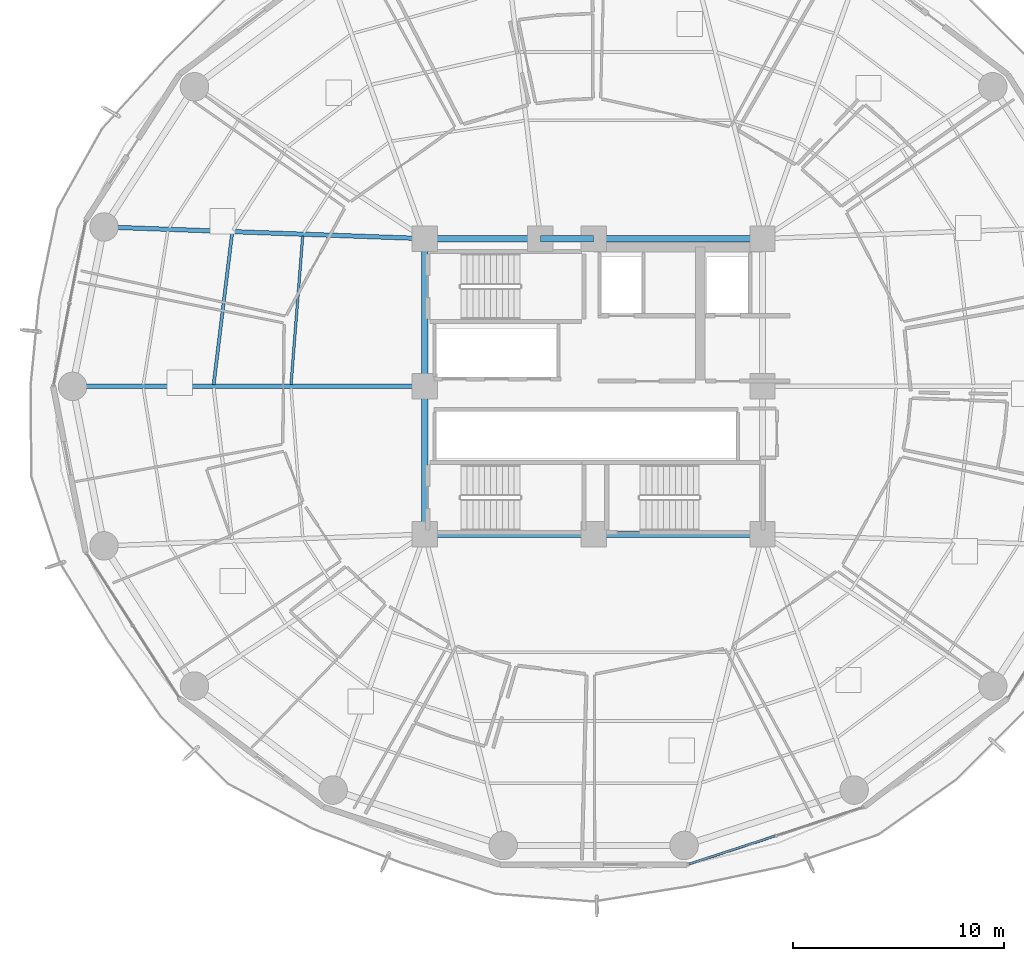
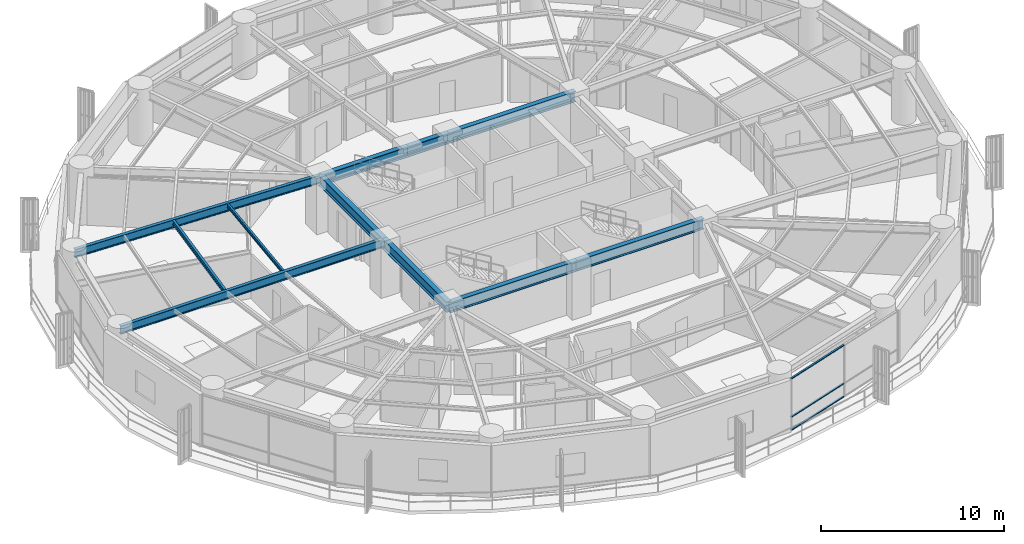
# One storey, part 9 of 35: 11 beams, 3 members, 1 element without a shape of its own.
"""IFC4 building model written with IfcOpenShell, lengths in metres."""

from ifc_helpers import new_model, si_unit, direction, frame, origin, origin_2d, place, context, subcontext, project, spatial, hollow_rectangle, i_section, extrude, material, layer, layer_set, material_profile, profile_set, type_object, element, aggregate, save


model = new_model("IFC4")

# Units and contexts
model_context = context("Model", 3, precision=1e-05, world=origin(), true_north=direction((0.0, 1.0)))
body_context = subcontext(model_context, "Body", "Model", "MODEL_VIEW")
ifc_project = project(units=[si_unit("LENGTHUNIT", "METRE"), si_unit("AREAUNIT", "SQUARE_METRE"), si_unit("VOLUMEUNIT", "CUBIC_METRE"), si_unit("PLANEANGLEUNIT", "RADIAN"), si_unit("MASSUNIT", "GRAM", prefix="KILO")], contexts=[model_context])

# Site, building, storey
site_placement = place(None, origin())
site = spatial("IfcSite", under=ifc_project, at=site_placement, CompositionType="ELEMENT")
building_placement = place(site_placement, origin())
building = spatial("IfcBuilding", under=site, at=building_placement, Name="Kelanora Arch Commons", CompositionType="ELEMENT")
storey_placement = place(building_placement, frame((0.0, 0.0, 121.35009765625)))
storey = spatial("IfcBuildingStorey", under=building, at=storey_placement, Name="L31", CompositionType="ELEMENT", Elevation=121.35009765625)

# Beams
ifc_material_1 = material(Name="Steel S355", Category="steel")
ifc_material_profile_1 = material_profile(ifc_material_1, i_section(OverallWidth=0.300048828125, OverallDepth=0.699951171875, WebThickness=0.01708984375, FlangeThickness=0.031982421875, FilletRadius=0.027099609375, at=origin_2d()), Name="HEB700")
ifc_profile_set_1 = profile_set([ifc_material_profile_1], Name="Steel S355")
beam_type_1 = type_object("IfcBeamType", Name="BM-CORE-HDR", PredefinedType="BEAM", material=ifc_profile_set_1)
for number, where, z_axis, x_axis, name in (
    (1, (66.0, 51.0, 3.139892578125), (1.0, 0.0, 0.0), (0.0, 1.0, 0.0), "Core Header Beam 01 L31"),
    (2, (74.0, 51.0, 3.139892578125), (1.0, 0.0, 0.0), (0.0, 1.0, 0.0), "Core Header Beam 02 L31"),
    (3, (82.0, 65.0, 3.139892578125), (-1.0, 0.0, 0.0), (0.0, -1.0, 0.0), "Core Header Beam 05 L31"),
):
    element("IfcBeam", number, at=place(storey_placement, frame(where, z_axis=z_axis, x_axis=x_axis)), inside=storey, type_object=beam_type_1, Name=name, PredefinedType="BEAM", context=body_context, shape_type="SweptSolid", body=[
        extrude(i_section(OverallWidth=0.300048828125, OverallDepth=0.699951171875, WebThickness=0.01708984375, FlangeThickness=0.031982421875, FilletRadius=0.027099609375, at=origin_2d()), origin(), (0.0, 0.0, 1.0), 8.0),
    ])
beam_1_placement = place(storey_placement, frame((74.0, 65.0, 3.139892578125), z_axis=(-1.0, 0.0, 0.0), x_axis=(0.0, -1.0, 0.0)))
element("IfcBeam", 4, at=beam_1_placement, inside=storey, type_object=beam_type_1, Name="Core Header Beam 06 L31", PredefinedType="BEAM", context=body_context, shape_type="SweptSolid", body=[
    extrude(i_section(OverallWidth=0.300048828125, OverallDepth=0.699951171875, WebThickness=0.01708984375, FlangeThickness=0.031982421875, FilletRadius=0.027099609375, at=origin_2d()), origin(), (0.0, 0.0, 1.0), 2.52001953125),
])
beam_2_placement = place(storey_placement, frame((71.47998046875, 65.0, 3.139892578125), z_axis=(-1.0, 0.0, 0.0), x_axis=(0.0, -1.0, 0.0)))
element("IfcBeam", 5, at=beam_2_placement, inside=storey, type_object=beam_type_1, Name="Core Header Beam 07 L31", PredefinedType="BEAM", context=body_context, shape_type="SweptSolid", body=[
    extrude(i_section(OverallWidth=0.300048828125, OverallDepth=0.699951171875, WebThickness=0.01708984375, FlangeThickness=0.031982421875, FilletRadius=0.027099609375, at=origin_2d()), origin(), (0.0, 0.0, 1.0), 5.47998046875),
])
for number, where, z_axis, x_axis, name in (
    (6, (66.0, 65.0, 3.139892578125), (0.0, -1.0, 0.0), (1.0, 0.0, 0.0), "Core Header Beam 08 L31"),
    (7, (66.0, 58.0, 3.139892578125), (0.0, -1.0, 0.0), (1.0, 0.0, 0.0), "Core Header Beam 09 L31"),
):
    element("IfcBeam", number, at=place(storey_placement, frame(where, z_axis=z_axis, x_axis=x_axis)), inside=storey, type_object=beam_type_1, Name=name, PredefinedType="BEAM", context=body_context, shape_type="SweptSolid", body=[
        extrude(i_section(OverallWidth=0.300048828125, OverallDepth=0.699951171875, WebThickness=0.01708984375, FlangeThickness=0.031982421875, FilletRadius=0.027099609375, at=origin_2d()), origin(), (0.0, 0.0, 1.0), 7.0),
    ])
ifc_material_profile_2 = material_profile(ifc_material_1, i_section(OverallWidth=0.14990234375, OverallDepth=0.300048828125, WebThickness=0.007080078125, FlangeThickness=0.0107421875, FilletRadius=0.014892578125, at=origin_2d()), Name="IPE300")
ifc_profile_set_2 = profile_set([ifc_material_profile_2], Name="Steel S355")
beam_type_2 = type_object("IfcBeamType", Name="BM-JST-01", PredefinedType="JOIST", material=ifc_profile_set_2)
beam_3_placement = place(storey_placement, frame((56.874755859375, 65.24658203125, 3.33984375), z_axis=(-0.120935645266, -0.992660349618, 0.0), x_axis=(0.992660349618, -0.120935645266, 0.0)))
element("IfcBeam", 8, at=beam_3_placement, inside=storey, type_object=beam_type_2, Name="Secondary Chord Joist BJB-16 L31", PredefinedType="JOIST", context=body_context, shape_type="SweptSolid", body=[
    extrude(i_section(OverallWidth=0.14990234375, OverallDepth=0.300048828125, WebThickness=0.007080078125, FlangeThickness=0.0107421875, FilletRadius=0.014892578125, at=origin_2d()), origin(), (0.0, 0.0, 1.0), 7.215087890625),
])
ifc_material_profile_3 = material_profile(ifc_material_1, i_section(OverallWidth=0.1201171875, OverallDepth=0.239990234375, WebThickness=0.006103515625, FlangeThickness=0.009765625, FilletRadius=0.014892578125, at=origin_2d()), Name="IPE240")
ifc_profile_set_3 = profile_set([ifc_material_profile_3], Name="Steel S355")
beam_type_3 = type_object("IfcBeamType", Name="BM-JST-02", PredefinedType="JOIST", material=ifc_profile_set_3)
beam_4_placement = place(storey_placement, frame((60.220458984375, 65.125, 3.369873046875), z_axis=(-0.078200677502, -0.996937637989, 0.0), x_axis=(0.996937637989, -0.078200677502, 0.0)))
element("IfcBeam", 9, at=beam_4_placement, inside=storey, type_object=beam_type_3, Name="Secondary Chord Joist BJA-16 L31", PredefinedType="JOIST", context=body_context, shape_type="SweptSolid", body=[
    extrude(i_section(OverallWidth=0.1201171875, OverallDepth=0.239990234375, WebThickness=0.006103515625, FlangeThickness=0.009765625, FilletRadius=0.014892578125, at=origin_2d()), origin(), (0.0, 0.0, 1.0), 7.06201171875),
])
ifc_material_profile_4 = material_profile(ifc_material_1, i_section(OverallWidth=0.2099609375, OverallDepth=0.550048828125, WebThickness=0.010986328125, FlangeThickness=0.01708984375, FilletRadius=0.02392578125, at=origin_2d()), Name="IPE550")
ifc_profile_set_4 = profile_set([ifc_material_profile_4], Name="Steel S355")
beam_type_4 = type_object("IfcBeamType", Name="BM-RAD-Z2", PredefinedType="BEAM", material=ifc_profile_set_4)
beam_5_placement = place(storey_placement, frame((66.0, 65.0, 3.21484375), z_axis=(-0.999341087625, 0.036295875581, 0.0), x_axis=(-0.036295875581, -0.999341087625, 0.0)))
element("IfcBeam", 10, at=beam_5_placement, inside=storey, type_object=beam_type_4, Name="Radial Floor Girder BR-16 L31", PredefinedType="BEAM", context=body_context, shape_type="SweptSolid", body=[
    extrude(i_section(OverallWidth=0.2099609375, OverallDepth=0.550048828125, WebThickness=0.010986328125, FlangeThickness=0.01708984375, FilletRadius=0.02392578125, at=origin_2d()), origin(), (0.0, 0.0, 1.0), 15.20166015625),
])
beam_6_placement = place(storey_placement, frame((66.0, 58.0, 3.21484375), z_axis=(-1.0, 0.0, 0.0), x_axis=(0.0, -1.0, 0.0)))
element("IfcBeam", 11, at=beam_6_placement, inside=storey, type_object=beam_type_4, Name="Radial Floor Girder BR-18 L31", PredefinedType="BEAM", context=body_context, shape_type="SweptSolid", body=[
    extrude(i_section(OverallWidth=0.2099609375, OverallDepth=0.550048828125, WebThickness=0.010986328125, FlangeThickness=0.01708984375, FilletRadius=0.02392578125, at=origin_2d()), origin(), (0.0, 0.0, 1.0), 16.679931640625),
])

# Curtain wall, members
ifc_material_2 = material(Name="Terracotta ceramic-fritted low-E glass and aluminium", Category="masonry")
ifc_layer = layer(ifc_material_2, 0.159912109375)
ifc_layer_set = layer_set([ifc_layer], Name="Terracotta ceramic-fritted low-E glass and aluminium")
curtain_wall_type = type_object("IfcCurtainWallType", Name="CW-SYS-01", PredefinedType="NOTDEFINED", material=ifc_layer_set)
curtain_wall_placement = place(storey_placement, origin())
curtain_wall = element("IfcCurtainWall", 12, at=curtain_wall_placement, inside=storey, type_object=curtain_wall_type, Name="Unitised Curtain Wall L31-B14", PredefinedType="NOTDEFINED")
ifc_material_3 = material(Name="Powder-coated aluminium terracotta", Category="masonry")
ifc_material_profile_5 = material_profile(ifc_material_3, hollow_rectangle(XDim=0.1201171875, YDim=0.06005859375, WallThickness=0.0048828125, InnerFilletRadius=0.0048828125, OuterFilletRadius=0.010009765625, at=origin_2d()), Name="CWT120x60")
ifc_profile_set_5 = profile_set([ifc_material_profile_5], Name="Powder-coated aluminium terracotta")
member_type = type_object("IfcMemberType", Name="CWT-STD", PredefinedType="USERDEFINED", material=ifc_profile_set_5)
member_1_placement = place(storey_placement, frame((78.516845703125, 35.372802734375, 0.02978515625), z_axis=(0.950477544745, 0.31079323824, 0.0), x_axis=(-0.31079323824, 0.950477544745, 0.0)))
member_1 = element("IfcMember", 13, at=member_1_placement, type_object=member_type, Name="CW-01 transom 1.1", ObjectType="TRANSOM", PredefinedType="USERDEFINED", context=body_context, shape_type="SweptSolid", body=[
    extrude(hollow_rectangle(XDim=0.1201171875, YDim=0.06005859375, WallThickness=0.0048828125, InnerFilletRadius=0.0048828125, OuterFilletRadius=0.010009765625, at=origin_2d()), origin(), (0.0, 0.0, 1.0), 4.289794921875),
])
member_2_placement = place(storey_placement, frame((78.516845703125, 35.372802734375, 0.89990234375), z_axis=(0.950477544745, 0.31079323824, 0.0), x_axis=(-0.31079323824, 0.950477544745, 0.0)))
member_2 = element("IfcMember", 14, at=member_2_placement, type_object=member_type, Name="CW-01 transom 1.2", ObjectType="TRANSOM", PredefinedType="USERDEFINED", context=body_context, shape_type="SweptSolid", body=[
    extrude(hollow_rectangle(XDim=0.1201171875, YDim=0.06005859375, WallThickness=0.0048828125, InnerFilletRadius=0.0048828125, OuterFilletRadius=0.010009765625, at=origin_2d()), origin(), (0.0, 0.0, 1.0), 4.289794921875),
])
member_3_placement = place(storey_placement, frame((78.516845703125, 35.372802734375, 3.44482421875), z_axis=(0.950477544745, 0.31079323824, 0.0), x_axis=(-0.31079323824, 0.950477544745, 0.0)))
member_3 = element("IfcMember", 15, at=member_3_placement, type_object=member_type, Name="CW-01 transom 1.3", ObjectType="TRANSOM", PredefinedType="USERDEFINED", context=body_context, shape_type="SweptSolid", body=[
    extrude(hollow_rectangle(XDim=0.1201171875, YDim=0.06005859375, WallThickness=0.0048828125, InnerFilletRadius=0.0048828125, OuterFilletRadius=0.010009765625, at=origin_2d()), origin(), (0.0, 0.0, 1.0), 4.289794921875),
])
aggregate(curtain_wall, [member_1, member_2, member_3])

save(model, "model.ifc")
